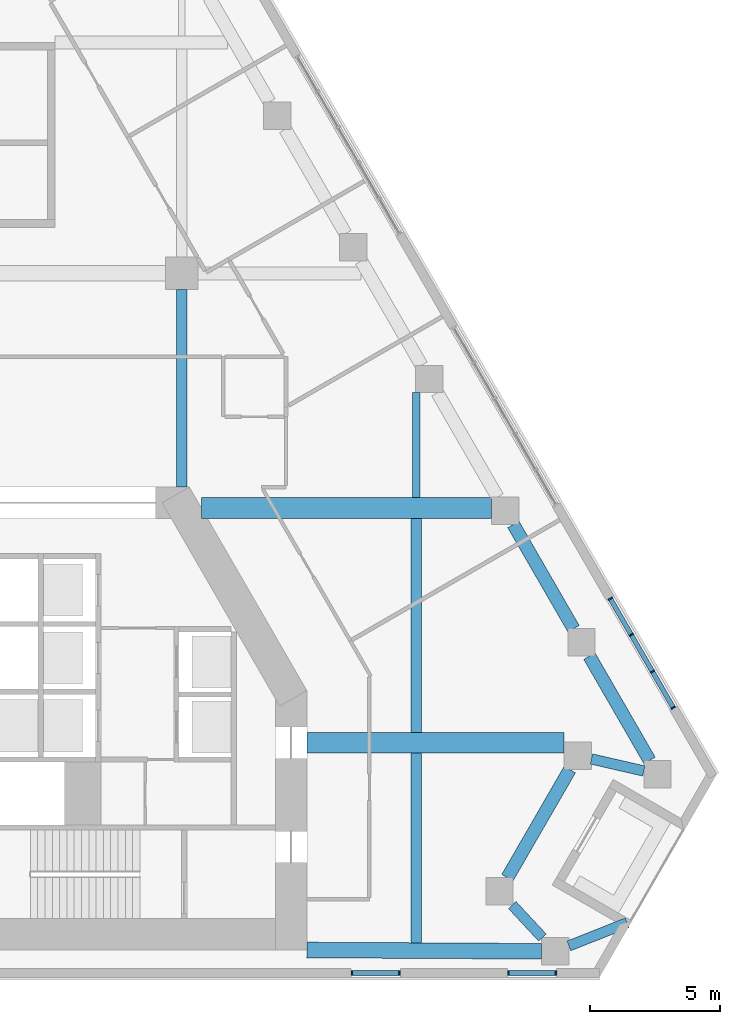
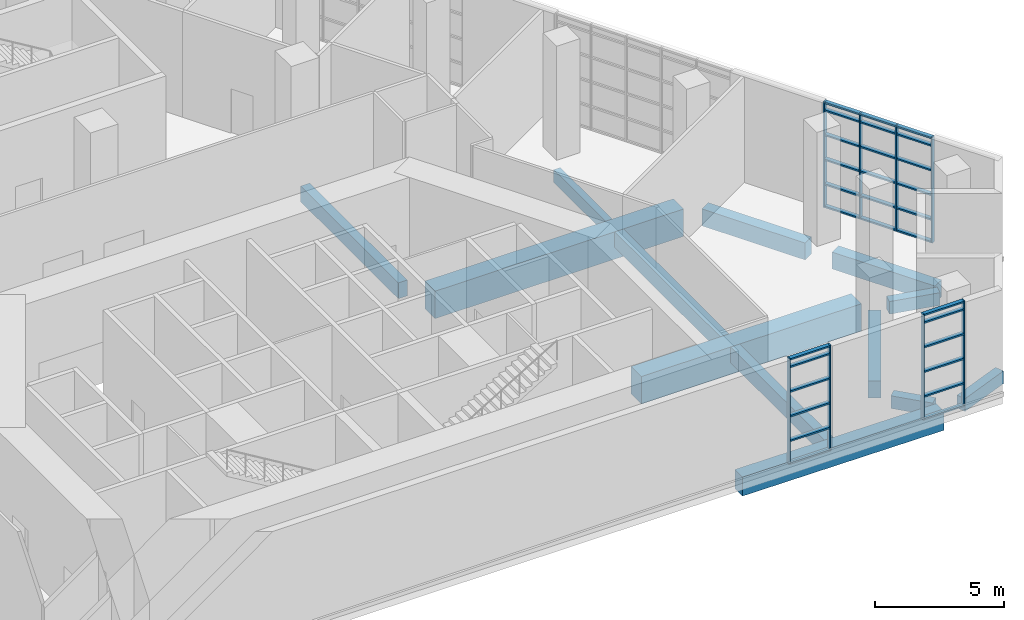
# One storey, part 4 of 18: 38 members, 13 beams, 3 elements without a shape of their own.
"""IFC4 building model written with IfcOpenShell, lengths in metres."""

from ifc_helpers import new_model, si_unit, direction, frame, origin, origin_2d, place, context, subcontext, project, spatial, rectangle, extrude, material, material_profile, profile_set, type_object, element, aggregate, save


model = new_model("IFC4")

# Units and contexts
model_context = context("Model", 3, precision=1e-05, world=origin(), true_north=direction((0.0, 1.0)))
body_context = subcontext(model_context, "Body", "Model", "MODEL_VIEW")
ifc_project = project(units=[si_unit("LENGTHUNIT", "METRE"), si_unit("AREAUNIT", "SQUARE_METRE"), si_unit("VOLUMEUNIT", "CUBIC_METRE"), si_unit("PLANEANGLEUNIT", "RADIAN"), si_unit("MASSUNIT", "GRAM", prefix="KILO")], contexts=[model_context])

# Site, building, storey
site_placement = place(None, origin())
site = spatial("IfcSite", under=ifc_project, at=site_placement, CompositionType="ELEMENT")
building_placement = place(site_placement, origin())
building = spatial("IfcBuilding", under=site, at=building_placement, Name="Fogline Exchange Tower", CompositionType="ELEMENT")
storey_placement = place(building_placement, frame((0.0, 0.0, 137.5)))
storey = spatial("IfcBuildingStorey", under=building, at=storey_placement, Name="L30", CompositionType="ELEMENT", Elevation=137.5)

# Beams
ifc_material_1 = material(Name="Concrete C40", Category="concrete")
ifc_material_profile_1 = material_profile(ifc_material_1, rectangle(XDim=0.800048828125, YDim=1.300048828125, at=origin_2d()), Name="RC 800x1300")
ifc_profile_set_1 = profile_set([ifc_material_profile_1], Name="Concrete C40")
beam_type_1 = type_object("IfcBeamType", Name="B04", PredefinedType="BEAM", material=ifc_profile_set_1)
beam_1_placement = place(storey_placement, frame((13.800048828125, 9.0, -1.050048828125), z_axis=(1.0, 0.0, 0.0), x_axis=(0.0, 1.0, 0.0)))
element("IfcBeam", 1, at=beam_1_placement, inside=storey, type_object=beam_type_1, Name="GB002", PredefinedType="BEAM", context=body_context, shape_type="SweptSolid", body=[
    extrude(rectangle(XDim=0.800048828125, YDim=1.300048828125, at=origin_2d()), origin(), (0.0, 0.0, 1.0), 9.864501953125),
])
beam_2_placement = place(storey_placement, frame((9.758056640625, 18.0, -1.050048828125), z_axis=(1.0, 0.0, 0.0), x_axis=(0.0, 1.0, 0.0)))
element("IfcBeam", 2, at=beam_2_placement, inside=storey, type_object=beam_type_1, Name="GB004", PredefinedType="BEAM", context=body_context, shape_type="SweptSolid", body=[
    extrude(rectangle(XDim=0.800048828125, YDim=1.300048828125, at=origin_2d()), origin(), (0.0, 0.0, 1.0), 11.13427734375),
])
ifc_material_profile_2 = material_profile(ifc_material_1, rectangle(XDim=0.39990234375, YDim=0.75, at=origin_2d()), Name="RC 400x750")
ifc_profile_set_2 = profile_set([ifc_material_profile_2], Name="Concrete C40")
beam_type_2 = type_object("IfcBeamType", Name="B05", PredefinedType="BEAM", material=ifc_profile_set_2)
beam_3_placement = place(storey_placement, frame((9.0, 18.800048828125, -0.77490234375), z_axis=(0.0, 1.0, 0.0), x_axis=(-1.0, 0.0, 0.0)))
element("IfcBeam", 3, at=beam_3_placement, inside=storey, type_object=beam_type_2, Name="SB009", PredefinedType="BEAM", context=body_context, shape_type="SweptSolid", body=[
    extrude(rectangle(XDim=0.39990234375, YDim=0.75, at=origin_2d()), origin(), (0.0, 0.0, 1.0), 7.574951171875),
])
beam_4_placement = place(storey_placement, frame((18.0, 1.327880859375, -0.77490234375), z_axis=(0.0, 1.0, 0.0), x_axis=(-1.0, 0.0, 0.0)))
element("IfcBeam", 4, at=beam_4_placement, inside=storey, type_object=beam_type_2, Name="SB012", PredefinedType="BEAM", context=body_context, shape_type="SweptSolid", body=[
    extrude(rectangle(XDim=0.39990234375, YDim=0.75, at=origin_2d()), origin(), (0.0, 0.0, 1.0), 7.272216796875),
])
beam_5_placement = place(storey_placement, frame((18.0, 9.39990234375, -0.77490234375), z_axis=(0.0, 1.0, 0.0), x_axis=(-1.0, 0.0, 0.0)))
element("IfcBeam", 5, at=beam_5_placement, inside=storey, type_object=beam_type_2, Name="SB013", PredefinedType="BEAM", context=body_context, shape_type="SweptSolid", body=[
    extrude(rectangle(XDim=0.39990234375, YDim=0.75, at=origin_2d()), origin(), (0.0, 0.0, 1.0), 8.2001953125),
])
ifc_material_profile_3 = material_profile(ifc_material_1, rectangle(XDim=0.300048828125, YDim=0.60009765625, at=origin_2d()), Name="RC 300x600")
ifc_profile_set_3 = profile_set([ifc_material_profile_3], Name="Concrete C40")
beam_type_3 = type_object("IfcBeamType", Name="B06", PredefinedType="BEAM", material=ifc_profile_set_3)
beam_6_placement = place(storey_placement, frame((18.0, 18.39990234375, -0.699951171875), z_axis=(0.0, 1.0, 0.0), x_axis=(-1.0, 0.0, 0.0)))
element("IfcBeam", 6, at=beam_6_placement, inside=storey, type_object=beam_type_3, Name="SB014", PredefinedType="BEAM", context=body_context, shape_type="SweptSolid", body=[
    extrude(rectangle(XDim=0.300048828125, YDim=0.60009765625, at=origin_2d()), origin(), (0.0, 0.0, 1.0), 4.020263671875),
])
ifc_material_profile_4 = material_profile(ifc_material_1, rectangle(XDim=0.60009765625, YDim=0.89990234375, at=origin_2d()), Name="RC 600x900")
ifc_profile_set_4 = profile_set([ifc_material_profile_4], Name="Concrete C40")
beam_type_4 = type_object("IfcBeamType", Name="B09", PredefinedType="BEAM", material=ifc_profile_set_4)
beam_7_placement = place(storey_placement, frame((13.800048828125, 1.050048828125, -0.85009765625), z_axis=(0.999984543136, -0.005559990001, 0.0), x_axis=(0.005559990001, 0.999984543136, 0.0)))
element("IfcBeam", 7, at=beam_7_placement, inside=storey, type_object=beam_type_4, Name="RB005", PredefinedType="BEAM", context=body_context, shape_type="SweptSolid", body=[
    extrude(rectangle(XDim=0.60009765625, YDim=0.89990234375, at=origin_2d()), origin(), (0.0, 0.0, 1.0), 9.001708984375),
])
ifc_material_profile_5 = material_profile(ifc_material_1, rectangle(XDim=0.5, YDim=0.800048828125, at=origin_2d()), Name="RC 500x800")
ifc_profile_set_5 = profile_set([ifc_material_profile_5], Name="Concrete C40")
beam_type_5 = type_object("IfcBeamType", Name="B10", PredefinedType="BEAM", material=ifc_profile_set_5)
beam_8_placement = place(storey_placement, frame((21.49267578125, 3.823974609375, -0.800048828125), z_axis=(0.499994660107, 0.866028486751, 0.0), x_axis=(-0.866028486751, 0.499994660107, 0.0)))
element("IfcBeam", 8, at=beam_8_placement, inside=storey, type_object=beam_type_5, Name="RB007", PredefinedType="BEAM", context=body_context, shape_type="SweptSolid", body=[
    extrude(rectangle(XDim=0.5, YDim=0.800048828125, at=origin_2d()), origin(), (0.0, 0.0, 1.0), 4.78759765625),
])
for number, where, z_axis, x_axis, name in (
    (9, (26.94580078125, 8.319091796875, -0.800048828125), (-0.499981705991, 0.866035965578, 0.0), (-0.866035965578, -0.499981705991, 0.0), "RB009"),
    (10, (24.030029296875, 13.369384765625, -0.800048828125), (-0.499981705991, 0.866035965578, 0.0), (-0.866035965578, -0.499981705991, 0.0), "RB010"),
):
    element("IfcBeam", number, at=place(storey_placement, frame(where, z_axis=z_axis, x_axis=x_axis)), inside=storey, type_object=beam_type_5, Name=name, PredefinedType="BEAM", context=body_context, shape_type="SweptSolid", body=[
        extrude(rectangle(XDim=0.5, YDim=0.800048828125, at=origin_2d()), origin(), (0.0, 0.0, 1.0), 4.619384765625),
    ])
ifc_material_profile_6 = material_profile(ifc_material_1, rectangle(XDim=0.39990234375, YDim=0.60009765625, at=origin_2d()), Name="RC 400x600")
ifc_profile_set_6 = profile_set([ifc_material_profile_6], Name="Concrete C40")
beam_type_6 = type_object("IfcBeamType", Name="B11", PredefinedType="BEAM", material=ifc_profile_set_6)
beam_9_placement = place(storey_placement, frame((22.83837890625, 1.52490234375, -0.699951171875), z_axis=(-0.680791505026, 0.732477253357, 0.0), x_axis=(-0.732477253357, -0.680791505026, 0.0)))
element("IfcBeam", 11, at=beam_9_placement, inside=storey, type_object=beam_type_6, Name="RB006", PredefinedType="BEAM", context=body_context, shape_type="SweptSolid", body=[
    extrude(rectangle(XDim=0.39990234375, YDim=0.60009765625, at=origin_2d()), origin(), (0.0, 0.0, 1.0), 1.705322265625),
])
beam_10_placement = place(storey_placement, frame((24.714599609375, 8.375, -0.699951171875), z_axis=(0.974739301343, -0.223345683676, 0.0), x_axis=(0.223345683676, 0.974739301343, 0.0)))
element("IfcBeam", 12, at=beam_10_placement, inside=storey, type_object=beam_type_6, Name="RB008", PredefinedType="BEAM", context=body_context, shape_type="SweptSolid", body=[
    extrude(rectangle(XDim=0.39990234375, YDim=0.60009765625, at=origin_2d()), origin(), (0.0, 0.0, 1.0), 2.0615234375),
])
beam_11_placement = place(storey_placement, frame((23.851318359375, 1.2080078125, -0.699951171875), z_axis=(0.929724793362, 0.36825508633, 0.0), x_axis=(-0.36825508633, 0.929724793362, 0.0)))
element("IfcBeam", 13, at=beam_11_placement, inside=storey, type_object=beam_type_6, Name="SP030", PredefinedType="BEAM", context=body_context, shape_type="SweptSolid", body=[
    extrude(rectangle(XDim=0.39990234375, YDim=0.60009765625, at=origin_2d()), origin(), (0.0, 0.0, 1.0), 2.404541015625),
])

# Curtain wall, members
ifc_material_2 = material(Name="Aluminium and glass", Category="aluminium")
curtain_wall_type = type_object("IfcCurtainWallType", Name="CW4", PredefinedType="NOTDEFINED", material=ifc_material_2)
curtain_wall_1_placement = place(storey_placement, origin())
curtain_wall_1 = element("IfcCurtainWall", 14, at=curtain_wall_1_placement, inside=storey, type_object=curtain_wall_type, Name="CW4 L30 S run 2", PredefinedType="NOTDEFINED")
ifc_material_3 = material(Name="Aluminium", Category="aluminium")
ifc_material_profile_7 = material_profile(ifc_material_3, rectangle(XDim=0.179931640625, YDim=0.06005859375, at=origin_2d()), Name="Mullion 60x180")
ifc_profile_set_7 = profile_set([ifc_material_profile_7], Name="Aluminium")
member_type_1 = type_object("IfcMemberType", Name="CW4-M", PredefinedType="MULLION", material=ifc_profile_set_7)
member_1_placement = place(storey_placement, frame((15.530029296875, 0.169921875, 0.0), z_axis=(0.0, 0.0, 1.0), x_axis=(0.0, 1.0, 0.0)))
member_1 = element("IfcMember", 15, at=member_1_placement, type_object=member_type_1, Name="CW4-T09-02 mullion 1", PredefinedType="MULLION", context=body_context, shape_type="SweptSolid", body=[
    extrude(rectangle(XDim=0.179931640625, YDim=0.06005859375, at=origin_2d()), origin(), (0.0, 0.0, 1.0), 5.0),
])
member_2_placement = place(storey_placement, frame((17.35498046875, 0.169921875, 0.0), z_axis=(0.0, 0.0, 1.0), x_axis=(0.0, 1.0, 0.0)))
member_2 = element("IfcMember", 16, at=member_2_placement, type_object=member_type_1, Name="CW4-T09-02 mullion 2", PredefinedType="MULLION", context=body_context, shape_type="SweptSolid", body=[
    extrude(rectangle(XDim=0.179931640625, YDim=0.06005859375, at=origin_2d()), origin(), (0.0, 0.0, 1.0), 5.0),
])

curtain_wall_2_placement = place(storey_placement, origin())
curtain_wall_2 = element("IfcCurtainWall", 17, at=curtain_wall_2_placement, inside=storey, type_object=curtain_wall_type, Name="CW4 L30 S run 3", PredefinedType="NOTDEFINED")
member_3_placement = place(storey_placement, frame((21.530029296875, 0.169921875, 0.0), z_axis=(0.0, 0.0, 1.0), x_axis=(0.0, 1.0, 0.0)))
member_3 = element("IfcMember", 18, at=member_3_placement, type_object=member_type_1, Name="CW4-T09-03 mullion 1", PredefinedType="MULLION", context=body_context, shape_type="SweptSolid", body=[
    extrude(rectangle(XDim=0.179931640625, YDim=0.06005859375, at=origin_2d()), origin(), (0.0, 0.0, 1.0), 5.0),
])
member_4_placement = place(storey_placement, frame((23.35498046875, 0.169921875, 0.0), z_axis=(0.0, 0.0, 1.0), x_axis=(0.0, 1.0, 0.0)))
member_4 = element("IfcMember", 19, at=member_4_placement, type_object=member_type_1, Name="CW4-T09-03 mullion 2", PredefinedType="MULLION", context=body_context, shape_type="SweptSolid", body=[
    extrude(rectangle(XDim=0.179931640625, YDim=0.06005859375, at=origin_2d()), origin(), (0.0, 0.0, 1.0), 5.0),
])

curtain_wall_3_placement = place(storey_placement, origin())
curtain_wall_3 = element("IfcCurtainWall", 20, at=curtain_wall_3_placement, inside=storey, type_object=curtain_wall_type, Name="CW4 L30 E run 1", PredefinedType="NOTDEFINED")
member_5_placement = place(storey_placement, frame((27.853515625, 10.34228515625, 0.0), z_axis=(0.0, 0.0, 1.0), x_axis=(-0.866025705857, -0.499999476794, 0.0)))
member_5 = element("IfcMember", 21, at=member_5_placement, type_object=member_type_1, Name="CW4-T09-04 mullion 1", PredefinedType="MULLION", context=body_context, shape_type="SweptSolid", body=[
    extrude(rectangle(XDim=0.179931640625, YDim=0.06005859375, at=origin_2d()), origin(), (0.0, 0.0, 1.0), 5.0),
])
member_6_placement = place(storey_placement, frame((27.05419921875, 11.7265625, 0.0), z_axis=(0.0, 0.0, 1.0), x_axis=(-0.866025705857, -0.499999476794, 0.0)))
member_6 = element("IfcMember", 22, at=member_6_placement, type_object=member_type_1, Name="CW4-T09-04 mullion 2", PredefinedType="MULLION", context=body_context, shape_type="SweptSolid", body=[
    extrude(rectangle(XDim=0.179931640625, YDim=0.06005859375, at=origin_2d()), origin(), (0.0, 0.0, 1.0), 5.0),
])
member_7_placement = place(storey_placement, frame((26.239990234375, 13.13671875, 0.0), z_axis=(0.0, 0.0, 1.0), x_axis=(-0.866025705857, -0.499999476794, 0.0)))
member_7 = element("IfcMember", 23, at=member_7_placement, type_object=member_type_1, Name="CW4-T09-04 mullion 3", PredefinedType="MULLION", context=body_context, shape_type="SweptSolid", body=[
    extrude(rectangle(XDim=0.179931640625, YDim=0.06005859375, at=origin_2d()), origin(), (0.0, 0.0, 1.0), 5.0),
])
member_8_placement = place(storey_placement, frame((25.44091796875, 14.52099609375, 0.0), z_axis=(0.0, 0.0, 1.0), x_axis=(-0.866025705857, -0.499999476794, 0.0)))
member_8 = element("IfcMember", 24, at=member_8_placement, type_object=member_type_1, Name="CW4-T09-04 mullion 4", PredefinedType="MULLION", context=body_context, shape_type="SweptSolid", body=[
    extrude(rectangle(XDim=0.179931640625, YDim=0.06005859375, at=origin_2d()), origin(), (0.0, 0.0, 1.0), 5.0),
])

# Member
ifc_material_profile_8 = material_profile(ifc_material_3, rectangle(XDim=0.179931640625, YDim=0.074951171875, at=origin_2d()), Name="Transom 75x180")
ifc_profile_set_8 = profile_set([ifc_material_profile_8], Name="Aluminium")
member_type_2 = type_object("IfcMemberType", Name="CW4-T", PredefinedType="USERDEFINED", material=ifc_profile_set_8)
member_9_placement = place(storey_placement, frame((15.56005859375, 0.169921875, 0.03759765625), z_axis=(1.0, 0.0, 0.0), x_axis=(0.0, 1.0, 0.0)))
member_9 = element("IfcMember", 25, at=member_9_placement, type_object=member_type_2, Name="CW4-T09-02 transom 1.1", ObjectType="TRANSOM", PredefinedType="USERDEFINED", context=body_context, shape_type="SweptSolid", body=[
    extrude(rectangle(XDim=0.179931640625, YDim=0.074951171875, at=origin_2d()), origin(), (0.0, 0.0, 1.0), 1.764892578125),
])

member_10_placement = place(storey_placement, frame((15.56005859375, 0.169921875, 1.10009765625), z_axis=(1.0, 0.0, 0.0), x_axis=(0.0, 1.0, 0.0)))
member_10 = element("IfcMember", 26, at=member_10_placement, type_object=member_type_2, Name="CW4-T09-02 transom 1.2", ObjectType="TRANSOM", PredefinedType="USERDEFINED", context=body_context, shape_type="SweptSolid", body=[
    extrude(rectangle(XDim=0.179931640625, YDim=0.074951171875, at=origin_2d()), origin(), (0.0, 0.0, 1.0), 1.764892578125),
])

member_11_placement = place(storey_placement, frame((15.56005859375, 0.169921875, 2.2666015625), z_axis=(1.0, 0.0, 0.0), x_axis=(0.0, 1.0, 0.0)))
member_11 = element("IfcMember", 27, at=member_11_placement, type_object=member_type_2, Name="CW4-T09-02 transom 1.3", ObjectType="TRANSOM", PredefinedType="USERDEFINED", context=body_context, shape_type="SweptSolid", body=[
    extrude(rectangle(XDim=0.179931640625, YDim=0.074951171875, at=origin_2d()), origin(), (0.0, 0.0, 1.0), 1.764892578125),
])

member_12_placement = place(storey_placement, frame((15.56005859375, 0.169921875, 3.433349609375), z_axis=(1.0, 0.0, 0.0), x_axis=(0.0, 1.0, 0.0)))
member_12 = element("IfcMember", 28, at=member_12_placement, type_object=member_type_2, Name="CW4-T09-02 transom 1.4", ObjectType="TRANSOM", PredefinedType="USERDEFINED", context=body_context, shape_type="SweptSolid", body=[
    extrude(rectangle(XDim=0.179931640625, YDim=0.074951171875, at=origin_2d()), origin(), (0.0, 0.0, 1.0), 1.764892578125),
])

member_13_placement = place(storey_placement, frame((15.56005859375, 0.169921875, 4.60009765625), z_axis=(1.0, 0.0, 0.0), x_axis=(0.0, 1.0, 0.0)))
member_13 = element("IfcMember", 29, at=member_13_placement, type_object=member_type_2, Name="CW4-T09-02 transom 1.5", ObjectType="TRANSOM", PredefinedType="USERDEFINED", context=body_context, shape_type="SweptSolid", body=[
    extrude(rectangle(XDim=0.179931640625, YDim=0.074951171875, at=origin_2d()), origin(), (0.0, 0.0, 1.0), 1.764892578125),
])

member_14_placement = place(storey_placement, frame((15.56005859375, 0.169921875, 4.96240234375), z_axis=(1.0, 0.0, 0.0), x_axis=(0.0, 1.0, 0.0)))
member_14 = element("IfcMember", 30, at=member_14_placement, type_object=member_type_2, Name="CW4-T09-02 transom 1.6", ObjectType="TRANSOM", PredefinedType="USERDEFINED", context=body_context, shape_type="SweptSolid", body=[
    extrude(rectangle(XDim=0.179931640625, YDim=0.074951171875, at=origin_2d()), origin(), (0.0, 0.0, 1.0), 1.764892578125),
])

aggregate(curtain_wall_1, [member_1, member_2, member_9, member_10, member_11, member_12, member_13, member_14])

member_15_placement = place(storey_placement, frame((21.56005859375, 0.169921875, 0.03759765625), z_axis=(1.0, 0.0, 0.0), x_axis=(0.0, 1.0, 0.0)))
member_15 = element("IfcMember", 31, at=member_15_placement, type_object=member_type_2, Name="CW4-T09-03 transom 1.1", ObjectType="TRANSOM", PredefinedType="USERDEFINED", context=body_context, shape_type="SweptSolid", body=[
    extrude(rectangle(XDim=0.179931640625, YDim=0.074951171875, at=origin_2d()), origin(), (0.0, 0.0, 1.0), 1.764892578125),
])

member_16_placement = place(storey_placement, frame((21.56005859375, 0.169921875, 1.10009765625), z_axis=(1.0, 0.0, 0.0), x_axis=(0.0, 1.0, 0.0)))
member_16 = element("IfcMember", 32, at=member_16_placement, type_object=member_type_2, Name="CW4-T09-03 transom 1.2", ObjectType="TRANSOM", PredefinedType="USERDEFINED", context=body_context, shape_type="SweptSolid", body=[
    extrude(rectangle(XDim=0.179931640625, YDim=0.074951171875, at=origin_2d()), origin(), (0.0, 0.0, 1.0), 1.764892578125),
])

member_17_placement = place(storey_placement, frame((21.56005859375, 0.169921875, 2.2666015625), z_axis=(1.0, 0.0, 0.0), x_axis=(0.0, 1.0, 0.0)))
member_17 = element("IfcMember", 33, at=member_17_placement, type_object=member_type_2, Name="CW4-T09-03 transom 1.3", ObjectType="TRANSOM", PredefinedType="USERDEFINED", context=body_context, shape_type="SweptSolid", body=[
    extrude(rectangle(XDim=0.179931640625, YDim=0.074951171875, at=origin_2d()), origin(), (0.0, 0.0, 1.0), 1.764892578125),
])

member_18_placement = place(storey_placement, frame((21.56005859375, 0.169921875, 3.433349609375), z_axis=(1.0, 0.0, 0.0), x_axis=(0.0, 1.0, 0.0)))
member_18 = element("IfcMember", 34, at=member_18_placement, type_object=member_type_2, Name="CW4-T09-03 transom 1.4", ObjectType="TRANSOM", PredefinedType="USERDEFINED", context=body_context, shape_type="SweptSolid", body=[
    extrude(rectangle(XDim=0.179931640625, YDim=0.074951171875, at=origin_2d()), origin(), (0.0, 0.0, 1.0), 1.764892578125),
])

member_19_placement = place(storey_placement, frame((21.56005859375, 0.169921875, 4.60009765625), z_axis=(1.0, 0.0, 0.0), x_axis=(0.0, 1.0, 0.0)))
member_19 = element("IfcMember", 35, at=member_19_placement, type_object=member_type_2, Name="CW4-T09-03 transom 1.5", ObjectType="TRANSOM", PredefinedType="USERDEFINED", context=body_context, shape_type="SweptSolid", body=[
    extrude(rectangle(XDim=0.179931640625, YDim=0.074951171875, at=origin_2d()), origin(), (0.0, 0.0, 1.0), 1.764892578125),
])

member_20_placement = place(storey_placement, frame((21.56005859375, 0.169921875, 4.96240234375), z_axis=(1.0, 0.0, 0.0), x_axis=(0.0, 1.0, 0.0)))
member_20 = element("IfcMember", 36, at=member_20_placement, type_object=member_type_2, Name="CW4-T09-03 transom 1.6", ObjectType="TRANSOM", PredefinedType="USERDEFINED", context=body_context, shape_type="SweptSolid", body=[
    extrude(rectangle(XDim=0.179931640625, YDim=0.074951171875, at=origin_2d()), origin(), (0.0, 0.0, 1.0), 1.764892578125),
])

aggregate(curtain_wall_2, [member_3, member_4, member_15, member_16, member_17, member_18, member_19, member_20])

member_21_placement = place(storey_placement, frame((27.83837890625, 10.368408203125, 0.03759765625), z_axis=(-0.499997253739, 0.866026989333, 0.0), x_axis=(-0.866026989333, -0.499997253739, 0.0)))
member_21 = element("IfcMember", 37, at=member_21_placement, type_object=member_type_2, Name="CW4-T09-04 transom 1.1", ObjectType="TRANSOM", PredefinedType="USERDEFINED", context=body_context, shape_type="SweptSolid", body=[
    extrude(rectangle(XDim=0.179931640625, YDim=0.074951171875, at=origin_2d()), origin(), (0.0, 0.0, 1.0), 1.5380859375),
])

member_22_placement = place(storey_placement, frame((27.83837890625, 10.368408203125, 1.10009765625), z_axis=(-0.499997253739, 0.866026989333, 0.0), x_axis=(-0.866026989333, -0.499997253739, 0.0)))
member_22 = element("IfcMember", 38, at=member_22_placement, type_object=member_type_2, Name="CW4-T09-04 transom 1.2", ObjectType="TRANSOM", PredefinedType="USERDEFINED", context=body_context, shape_type="SweptSolid", body=[
    extrude(rectangle(XDim=0.179931640625, YDim=0.074951171875, at=origin_2d()), origin(), (0.0, 0.0, 1.0), 1.5380859375),
])

member_23_placement = place(storey_placement, frame((27.83837890625, 10.368408203125, 2.2666015625), z_axis=(-0.499997253739, 0.866026989333, 0.0), x_axis=(-0.866026989333, -0.499997253739, 0.0)))
member_23 = element("IfcMember", 39, at=member_23_placement, type_object=member_type_2, Name="CW4-T09-04 transom 1.3", ObjectType="TRANSOM", PredefinedType="USERDEFINED", context=body_context, shape_type="SweptSolid", body=[
    extrude(rectangle(XDim=0.179931640625, YDim=0.074951171875, at=origin_2d()), origin(), (0.0, 0.0, 1.0), 1.5380859375),
])

member_24_placement = place(storey_placement, frame((27.83837890625, 10.368408203125, 3.433349609375), z_axis=(-0.499997253739, 0.866026989333, 0.0), x_axis=(-0.866026989333, -0.499997253739, 0.0)))
member_24 = element("IfcMember", 40, at=member_24_placement, type_object=member_type_2, Name="CW4-T09-04 transom 1.4", ObjectType="TRANSOM", PredefinedType="USERDEFINED", context=body_context, shape_type="SweptSolid", body=[
    extrude(rectangle(XDim=0.179931640625, YDim=0.074951171875, at=origin_2d()), origin(), (0.0, 0.0, 1.0), 1.5380859375),
])

member_25_placement = place(storey_placement, frame((27.83837890625, 10.368408203125, 4.60009765625), z_axis=(-0.499997253739, 0.866026989333, 0.0), x_axis=(-0.866026989333, -0.499997253739, 0.0)))
member_25 = element("IfcMember", 41, at=member_25_placement, type_object=member_type_2, Name="CW4-T09-04 transom 1.5", ObjectType="TRANSOM", PredefinedType="USERDEFINED", context=body_context, shape_type="SweptSolid", body=[
    extrude(rectangle(XDim=0.179931640625, YDim=0.074951171875, at=origin_2d()), origin(), (0.0, 0.0, 1.0), 1.5380859375),
])

member_26_placement = place(storey_placement, frame((27.83837890625, 10.368408203125, 4.96240234375), z_axis=(-0.499997253739, 0.866026989333, 0.0), x_axis=(-0.866026989333, -0.499997253739, 0.0)))
member_26 = element("IfcMember", 42, at=member_26_placement, type_object=member_type_2, Name="CW4-T09-04 transom 1.6", ObjectType="TRANSOM", PredefinedType="USERDEFINED", context=body_context, shape_type="SweptSolid", body=[
    extrude(rectangle(XDim=0.179931640625, YDim=0.074951171875, at=origin_2d()), origin(), (0.0, 0.0, 1.0), 1.5380859375),
])

member_27_placement = place(storey_placement, frame((27.039306640625, 11.75244140625, 0.03759765625), z_axis=(-0.499956000529, 0.8660508054, 0.0), x_axis=(-0.8660508054, -0.499956000529, 0.0)))
member_27 = element("IfcMember", 43, at=member_27_placement, type_object=member_type_2, Name="CW4-T09-04 transom 2.1", ObjectType="TRANSOM", PredefinedType="USERDEFINED", context=body_context, shape_type="SweptSolid", body=[
    extrude(rectangle(XDim=0.179931640625, YDim=0.074951171875, at=origin_2d()), origin(), (0.0, 0.0, 1.0), 1.568603515625),
])

member_28_placement = place(storey_placement, frame((27.039306640625, 11.75244140625, 1.10009765625), z_axis=(-0.499956000529, 0.8660508054, 0.0), x_axis=(-0.8660508054, -0.499956000529, 0.0)))
member_28 = element("IfcMember", 44, at=member_28_placement, type_object=member_type_2, Name="CW4-T09-04 transom 2.2", ObjectType="TRANSOM", PredefinedType="USERDEFINED", context=body_context, shape_type="SweptSolid", body=[
    extrude(rectangle(XDim=0.179931640625, YDim=0.074951171875, at=origin_2d()), origin(), (0.0, 0.0, 1.0), 1.568603515625),
])

member_29_placement = place(storey_placement, frame((27.039306640625, 11.75244140625, 2.2666015625), z_axis=(-0.499956000529, 0.8660508054, 0.0), x_axis=(-0.8660508054, -0.499956000529, 0.0)))
member_29 = element("IfcMember", 45, at=member_29_placement, type_object=member_type_2, Name="CW4-T09-04 transom 2.3", ObjectType="TRANSOM", PredefinedType="USERDEFINED", context=body_context, shape_type="SweptSolid", body=[
    extrude(rectangle(XDim=0.179931640625, YDim=0.074951171875, at=origin_2d()), origin(), (0.0, 0.0, 1.0), 1.568603515625),
])

member_30_placement = place(storey_placement, frame((27.039306640625, 11.75244140625, 3.433349609375), z_axis=(-0.499956000529, 0.8660508054, 0.0), x_axis=(-0.8660508054, -0.499956000529, 0.0)))
member_30 = element("IfcMember", 46, at=member_30_placement, type_object=member_type_2, Name="CW4-T09-04 transom 2.4", ObjectType="TRANSOM", PredefinedType="USERDEFINED", context=body_context, shape_type="SweptSolid", body=[
    extrude(rectangle(XDim=0.179931640625, YDim=0.074951171875, at=origin_2d()), origin(), (0.0, 0.0, 1.0), 1.568603515625),
])

member_31_placement = place(storey_placement, frame((27.039306640625, 11.75244140625, 4.60009765625), z_axis=(-0.499956000529, 0.8660508054, 0.0), x_axis=(-0.8660508054, -0.499956000529, 0.0)))
member_31 = element("IfcMember", 47, at=member_31_placement, type_object=member_type_2, Name="CW4-T09-04 transom 2.5", ObjectType="TRANSOM", PredefinedType="USERDEFINED", context=body_context, shape_type="SweptSolid", body=[
    extrude(rectangle(XDim=0.179931640625, YDim=0.074951171875, at=origin_2d()), origin(), (0.0, 0.0, 1.0), 1.568603515625),
])

member_32_placement = place(storey_placement, frame((27.039306640625, 11.75244140625, 4.96240234375), z_axis=(-0.499956000529, 0.8660508054, 0.0), x_axis=(-0.8660508054, -0.499956000529, 0.0)))
member_32 = element("IfcMember", 48, at=member_32_placement, type_object=member_type_2, Name="CW4-T09-04 transom 2.6", ObjectType="TRANSOM", PredefinedType="USERDEFINED", context=body_context, shape_type="SweptSolid", body=[
    extrude(rectangle(XDim=0.179931640625, YDim=0.074951171875, at=origin_2d()), origin(), (0.0, 0.0, 1.0), 1.568603515625),
])

member_33_placement = place(storey_placement, frame((26.22509765625, 13.16259765625, 0.03759765625), z_axis=(-0.500047557843, 0.86599794451, 0.0), x_axis=(-0.86599794451, -0.500047557843, 0.0)))
member_33 = element("IfcMember", 49, at=member_33_placement, type_object=member_type_2, Name="CW4-T09-04 transom 3.1", ObjectType="TRANSOM", PredefinedType="USERDEFINED", context=body_context, shape_type="SweptSolid", body=[
    extrude(rectangle(XDim=0.179931640625, YDim=0.074951171875, at=origin_2d()), origin(), (0.0, 0.0, 1.0), 1.538330078125),
])

member_34_placement = place(storey_placement, frame((26.22509765625, 13.16259765625, 1.10009765625), z_axis=(-0.500047557843, 0.86599794451, 0.0), x_axis=(-0.86599794451, -0.500047557843, 0.0)))
member_34 = element("IfcMember", 50, at=member_34_placement, type_object=member_type_2, Name="CW4-T09-04 transom 3.2", ObjectType="TRANSOM", PredefinedType="USERDEFINED", context=body_context, shape_type="SweptSolid", body=[
    extrude(rectangle(XDim=0.179931640625, YDim=0.074951171875, at=origin_2d()), origin(), (0.0, 0.0, 1.0), 1.538330078125),
])

member_35_placement = place(storey_placement, frame((26.22509765625, 13.16259765625, 2.2666015625), z_axis=(-0.500047557843, 0.86599794451, 0.0), x_axis=(-0.86599794451, -0.500047557843, 0.0)))
member_35 = element("IfcMember", 51, at=member_35_placement, type_object=member_type_2, Name="CW4-T09-04 transom 3.3", ObjectType="TRANSOM", PredefinedType="USERDEFINED", context=body_context, shape_type="SweptSolid", body=[
    extrude(rectangle(XDim=0.179931640625, YDim=0.074951171875, at=origin_2d()), origin(), (0.0, 0.0, 1.0), 1.538330078125),
])

member_36_placement = place(storey_placement, frame((26.22509765625, 13.16259765625, 3.433349609375), z_axis=(-0.500047557843, 0.86599794451, 0.0), x_axis=(-0.86599794451, -0.500047557843, 0.0)))
member_36 = element("IfcMember", 52, at=member_36_placement, type_object=member_type_2, Name="CW4-T09-04 transom 3.4", ObjectType="TRANSOM", PredefinedType="USERDEFINED", context=body_context, shape_type="SweptSolid", body=[
    extrude(rectangle(XDim=0.179931640625, YDim=0.074951171875, at=origin_2d()), origin(), (0.0, 0.0, 1.0), 1.538330078125),
])

member_37_placement = place(storey_placement, frame((26.22509765625, 13.16259765625, 4.60009765625), z_axis=(-0.500047557843, 0.86599794451, 0.0), x_axis=(-0.86599794451, -0.500047557843, 0.0)))
member_37 = element("IfcMember", 53, at=member_37_placement, type_object=member_type_2, Name="CW4-T09-04 transom 3.5", ObjectType="TRANSOM", PredefinedType="USERDEFINED", context=body_context, shape_type="SweptSolid", body=[
    extrude(rectangle(XDim=0.179931640625, YDim=0.074951171875, at=origin_2d()), origin(), (0.0, 0.0, 1.0), 1.538330078125),
])

member_38_placement = place(storey_placement, frame((26.22509765625, 13.16259765625, 4.96240234375), z_axis=(-0.500047557843, 0.86599794451, 0.0), x_axis=(-0.86599794451, -0.500047557843, 0.0)))
member_38 = element("IfcMember", 54, at=member_38_placement, type_object=member_type_2, Name="CW4-T09-04 transom 3.6", ObjectType="TRANSOM", PredefinedType="USERDEFINED", context=body_context, shape_type="SweptSolid", body=[
    extrude(rectangle(XDim=0.179931640625, YDim=0.074951171875, at=origin_2d()), origin(), (0.0, 0.0, 1.0), 1.538330078125),
])

aggregate(curtain_wall_3, [member_5, member_6, member_7, member_8, member_21, member_22, member_23, member_24, member_25, member_26, member_27, member_28, member_29, member_30, member_31, member_32, member_33, member_34, member_35, member_36, member_37, member_38])

save(model, "model.ifc")
